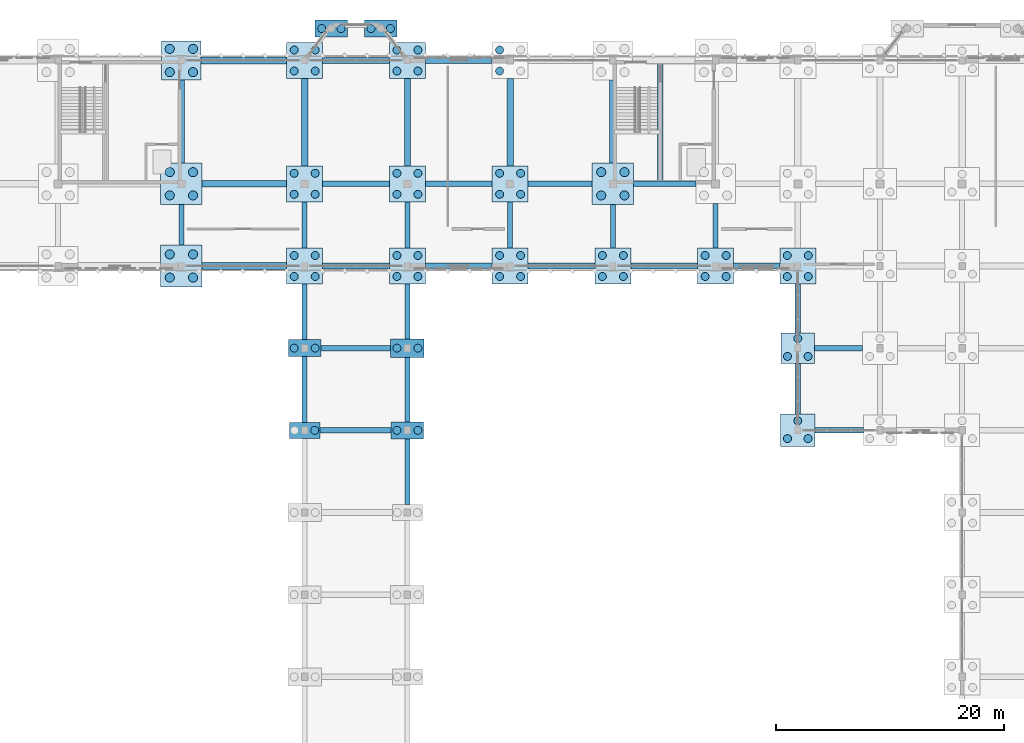
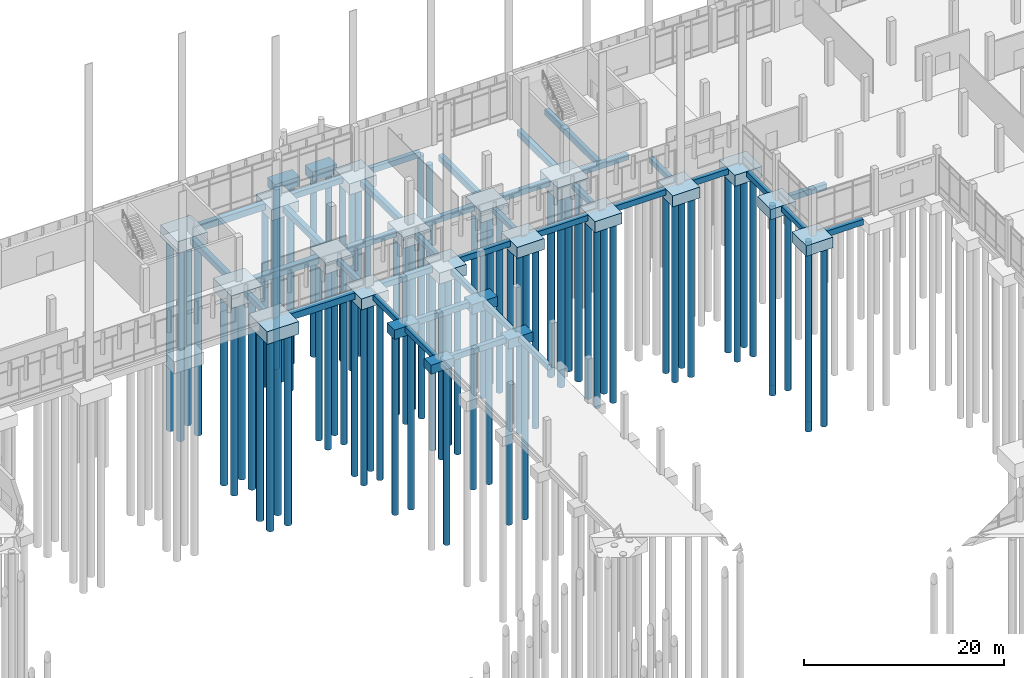
# One storey, part 6 of 109: 79 piles, 60 footings.
"""IFC4 building model written with IfcOpenShell, lengths in metres."""

from ifc_helpers import new_model, si_unit, direction, frame, origin, origin_2d, place, context, subcontext, project, spatial, rectangle, circle, extrude, material, material_profile, profile_set, type_object, element, save


model = new_model("IFC4")

# Units and contexts
model_context = context("Model", 3, precision=1e-05, world=origin(), true_north=direction((0.0, 1.0)))
body_context = subcontext(model_context, "Body", "Model", "MODEL_VIEW")
ifc_project = project(units=[si_unit("LENGTHUNIT", "METRE"), si_unit("AREAUNIT", "SQUARE_METRE"), si_unit("VOLUMEUNIT", "CUBIC_METRE"), si_unit("PLANEANGLEUNIT", "RADIAN"), si_unit("MASSUNIT", "GRAM", prefix="KILO")], contexts=[model_context])

# Site, building, storey
site_placement = place(None, origin())
site = spatial("IfcSite", under=ifc_project, at=site_placement, CompositionType="ELEMENT")
building_placement = place(site_placement, origin())
building = spatial("IfcBuilding", under=site, at=building_placement, Name="Lusvemor Sports Hall", CompositionType="ELEMENT")
storey_placement = place(building_placement, origin())
storey = spatial("IfcBuildingStorey", under=building, at=storey_placement, Name="L00", CompositionType="ELEMENT", Elevation=0.0)

# Footings
ifc_material_1 = material(Name="Concrete C40/50", Category="concrete")
ifc_material_profile_1 = material_profile(ifc_material_1, rectangle(XDim=0.449951171875, YDim=0.64990234375, at=origin_2d()), Name="GB_450x650")
ifc_profile_set_1 = profile_set([ifc_material_profile_1], Name="Concrete C40/50")
footing_type_1 = type_object("IfcFootingType", Name="GBEAM_450x650", PredefinedType="FOOTING_BEAM", material=ifc_profile_set_1)
footing_1_placement = place(storey_placement, frame((64.800048828125, 99.02294921875, -0.625), z_axis=(0.0, 1.0, 0.0), x_axis=(-1.0, 0.0, 0.0)))
element("IfcFooting", 1, at=footing_1_placement, inside=storey, type_object=footing_type_1, Name="Ground Tie Beam 7:N-P", PredefinedType="FOOTING_BEAM", context=body_context, shape_type="SweptSolid", body=[
    extrude(rectangle(XDim=0.449951171875, YDim=0.64990234375, at=origin_2d()), origin(), (0.0, 0.0, 1.0), 3.553955078125),
])
footing_2_placement = place(storey_placement, frame((75.60009765625, 83.498046875, -0.625), z_axis=(0.0, 1.0, 0.0), x_axis=(-1.0, 0.0, 0.0)))
element("IfcFooting", 2, at=footing_2_placement, inside=storey, type_object=footing_type_1, Name="Ground Tie Beam 8:L-M", PredefinedType="FOOTING_BEAM", context=body_context, shape_type="SweptSolid", body=[
    extrude(rectangle(XDim=0.449951171875, YDim=0.64990234375, at=origin_2d()), origin(), (0.0, 0.0, 1.0), 5.75390625),
])
footing_3_placement = place(storey_placement, frame((75.60009765625, 90.748046875, -0.625), z_axis=(0.0, 1.0, 0.0), x_axis=(-1.0, 0.0, 0.0)))
element("IfcFooting", 3, at=footing_3_placement, inside=storey, type_object=footing_type_1, Name="Ground Tie Beam 8:M-N", PredefinedType="FOOTING_BEAM", context=body_context, shape_type="SweptSolid", body=[
    extrude(rectangle(XDim=0.449951171875, YDim=0.64990234375, at=origin_2d()), origin(), (0.0, 0.0, 1.0), 4.87890625),
])
footing_4_placement = place(storey_placement, frame((75.60009765625, 98.77294921875, -0.625), z_axis=(0.0, 1.0, 0.0), x_axis=(-1.0, 0.0, 0.0)))
element("IfcFooting", 4, at=footing_4_placement, inside=storey, type_object=footing_type_1, Name="Ground Tie Beam 8:N-P", PredefinedType="FOOTING_BEAM", context=body_context, shape_type="SweptSolid", body=[
    extrude(rectangle(XDim=0.449951171875, YDim=0.64990234375, at=origin_2d()), origin(), (0.0, 0.0, 1.0), 4.053955078125),
])
footing_5_placement = place(storey_placement, frame((84.60009765625, 76.298095703125, -0.625), z_axis=(0.0, 1.0, 0.0), x_axis=(-1.0, 0.0, 0.0)))
element("IfcFooting", 5, at=footing_5_placement, inside=storey, type_object=footing_type_1, Name="Ground Tie Beam 9:K-L", PredefinedType="FOOTING_BEAM", context=body_context, shape_type="SweptSolid", body=[
    extrude(rectangle(XDim=0.449951171875, YDim=0.64990234375, at=origin_2d()), origin(), (0.0, 0.0, 1.0), 5.75390625),
])
footing_6_placement = place(storey_placement, frame((84.60009765625, 83.548095703125, -0.625), z_axis=(0.0, 1.0, 0.0), x_axis=(-1.0, 0.0, 0.0)))
element("IfcFooting", 6, at=footing_6_placement, inside=storey, type_object=footing_type_1, Name="Ground Tie Beam 9:L-M", PredefinedType="FOOTING_BEAM", context=body_context, shape_type="SweptSolid", body=[
    extrude(rectangle(XDim=0.449951171875, YDim=0.64990234375, at=origin_2d()), origin(), (0.0, 0.0, 1.0), 5.65380859375),
])
footing_7_placement = place(storey_placement, frame((84.60009765625, 90.798095703125, -0.625), z_axis=(0.0, 1.0, 0.0), x_axis=(-1.0, 0.0, 0.0)))
element("IfcFooting", 7, at=footing_7_placement, inside=storey, type_object=footing_type_1, Name="Ground Tie Beam 9:M-N", PredefinedType="FOOTING_BEAM", context=body_context, shape_type="SweptSolid", body=[
    extrude(rectangle(XDim=0.449951171875, YDim=0.64990234375, at=origin_2d()), origin(), (0.0, 0.0, 1.0), 4.828857421875),
])
for number, where, z_axis, x_axis, name in (
    (8, (84.60009765625, 98.77294921875, -0.625), (0.0, 1.0, 0.0), (-1.0, 0.0, 0.0), "Ground Tie Beam 9:N-P"),
    (9, (93.60009765625, 98.77294921875, -0.625), (0.0, 1.0, 0.0), (-1.0, 0.0, 0.0), "Ground Tie Beam 10:N-P"),
):
    element("IfcFooting", number, at=place(storey_placement, frame(where, z_axis=z_axis, x_axis=x_axis)), inside=storey, type_object=footing_type_1, Name=name, PredefinedType="FOOTING_BEAM", context=body_context, shape_type="SweptSolid", body=[
        extrude(rectangle(XDim=0.449951171875, YDim=0.64990234375, at=origin_2d()), origin(), (0.0, 0.0, 1.0), 4.053955078125),
    ])
footing_8_placement = place(storey_placement, frame((102.60009765625, 98.77294921875, -0.625), z_axis=(0.0, 1.0, 0.0), x_axis=(-1.0, 0.0, 0.0)))
element("IfcFooting", 10, at=footing_8_placement, inside=storey, type_object=footing_type_1, Name="Ground Tie Beam 11:N-P", PredefinedType="FOOTING_BEAM", context=body_context, shape_type="SweptSolid", body=[
    extrude(rectangle(XDim=0.449951171875, YDim=0.64990234375, at=origin_2d()), origin(), (0.0, 0.0, 1.0), 3.803955078125),
])
footing_9_placement = place(storey_placement, frame((111.60009765625, 98.77294921875, -0.625), z_axis=(0.0, 1.0, 0.0), x_axis=(-1.0, 0.0, 0.0)))
element("IfcFooting", 11, at=footing_9_placement, inside=storey, type_object=footing_type_1, Name="Ground Tie Beam 12:N-P", PredefinedType="FOOTING_BEAM", context=body_context, shape_type="SweptSolid", body=[
    extrude(rectangle(XDim=0.449951171875, YDim=0.64990234375, at=origin_2d()), origin(), (0.0, 0.0, 1.0), 3.904052734375),
])
footing_10_placement = place(storey_placement, frame((118.800048828125, 84.222900390625, -0.625), z_axis=(0.0, 1.0, 0.0), x_axis=(-1.0, 0.0, 0.0)))
element("IfcFooting", 12, at=footing_10_placement, inside=storey, type_object=footing_type_1, Name="Ground Tie Beam 13:L-M", PredefinedType="FOOTING_BEAM", context=body_context, shape_type="SweptSolid", body=[
    extrude(rectangle(XDim=0.449951171875, YDim=0.64990234375, at=origin_2d()), origin(), (0.0, 0.0, 1.0), 4.42919921875),
])
footing_11_placement = place(storey_placement, frame((118.800048828125, 91.347900390625, -0.625), z_axis=(0.0, 1.0, 0.0), x_axis=(-1.0, 0.0, 0.0)))
element("IfcFooting", 13, at=footing_11_placement, inside=storey, type_object=footing_type_1, Name="Ground Tie Beam 13:M-N", PredefinedType="FOOTING_BEAM", context=body_context, shape_type="SweptSolid", body=[
    extrude(rectangle(XDim=0.449951171875, YDim=0.64990234375, at=origin_2d()), origin(), (0.0, 0.0, 1.0), 4.279052734375),
])
ifc_material_2 = material(Name="Concrete C40/50", Category="concrete")
ifc_material_profile_2 = material_profile(ifc_material_2, rectangle(XDim=0.5, YDim=0.699951171875, at=origin_2d()), Name="GB_500x700")
ifc_profile_set_2 = profile_set([ifc_material_profile_2], Name="Concrete C40/50")
footing_type_2 = type_object("IfcFootingType", Name="GBEAM_500x700", PredefinedType="FOOTING_BEAM", material=ifc_profile_set_2)
footing_12_placement = place(storey_placement, frame((76.923095703125, 82.800048828125, -0.64990234375), z_axis=(1.0, 0.0, 0.0), x_axis=(0.0, 1.0, 0.0)))
element("IfcFooting", 14, at=footing_12_placement, inside=storey, type_object=footing_type_2, Name="Ground Tie Beam L:8-9", PredefinedType="FOOTING_BEAM", context=body_context, shape_type="SweptSolid", body=[
    extrude(rectangle(XDim=0.5, YDim=0.699951171875, at=origin_2d()), origin(), (0.0, 0.0, 1.0), 6.25390625),
])
footing_13_placement = place(storey_placement, frame((120.322998046875, 82.800048828125, -0.64990234375), z_axis=(1.0, 0.0, 0.0), x_axis=(0.0, 1.0, 0.0)))
element("IfcFooting", 15, at=footing_13_placement, inside=storey, type_object=footing_type_2, Name="Ground Tie Beam L:13-14", PredefinedType="FOOTING_BEAM", context=body_context, shape_type="SweptSolid", body=[
    extrude(rectangle(XDim=0.5, YDim=0.699951171875, at=origin_2d()), origin(), (0.0, 0.0, 1.0), 4.22900390625),
])
footing_14_placement = place(storey_placement, frame((77.02294921875, 90.0, -0.64990234375), z_axis=(1.0, 0.0, 0.0), x_axis=(0.0, 1.0, 0.0)))
element("IfcFooting", 16, at=footing_14_placement, inside=storey, type_object=footing_type_2, Name="Ground Tie Beam M:8-9", PredefinedType="FOOTING_BEAM", context=body_context, shape_type="SweptSolid", body=[
    extrude(rectangle(XDim=0.5, YDim=0.699951171875, at=origin_2d()), origin(), (0.0, 0.0, 1.0), 6.10400390625),
])
footing_15_placement = place(storey_placement, frame((120.248046875, 90.0, -0.64990234375), z_axis=(1.0, 0.0, 0.0), x_axis=(0.0, 1.0, 0.0)))
element("IfcFooting", 17, at=footing_15_placement, inside=storey, type_object=footing_type_2, Name="Ground Tie Beam M:13-14", PredefinedType="FOOTING_BEAM", context=body_context, shape_type="SweptSolid", body=[
    extrude(rectangle(XDim=0.5, YDim=0.699951171875, at=origin_2d()), origin(), (0.0, 0.0, 1.0), 4.22900390625),
])
for number, where, z_axis, x_axis, name in (
    (18, (77.173095703125, 97.199951171875, -0.64990234375), (1.0, 0.0, 0.0), (0.0, 1.0, 0.0), "Ground Tie Beam N:8-9"),
    (19, (86.173095703125, 97.199951171875, -0.64990234375), (1.0, 0.0, 0.0), (0.0, 1.0, 0.0), "Ground Tie Beam N:9-10"),
    (20, (95.173095703125, 97.199951171875, -0.64990234375), (1.0, 0.0, 0.0), (0.0, 1.0, 0.0), "Ground Tie Beam N:10-11"),
    (21, (104.173095703125, 97.199951171875, -0.64990234375), (1.0, 0.0, 0.0), (0.0, 1.0, 0.0), "Ground Tie Beam N:11-12"),
):
    element("IfcFooting", number, at=place(storey_placement, frame(where, z_axis=z_axis, x_axis=x_axis)), inside=storey, type_object=footing_type_2, Name=name, PredefinedType="FOOTING_BEAM", context=body_context, shape_type="SweptSolid", body=[
        extrude(rectangle(XDim=0.5, YDim=0.699951171875, at=origin_2d()), origin(), (0.0, 0.0, 1.0), 5.85400390625),
    ])
footing_16_placement = place(storey_placement, frame((113.173095703125, 97.199951171875, -0.64990234375), z_axis=(1.0, 0.0, 0.0), x_axis=(0.0, 1.0, 0.0)))
element("IfcFooting", 22, at=footing_16_placement, inside=storey, type_object=footing_type_2, Name="Ground Tie Beam N:12-13", PredefinedType="FOOTING_BEAM", context=body_context, shape_type="SweptSolid", body=[
    extrude(rectangle(XDim=0.5, YDim=0.699951171875, at=origin_2d()), origin(), (0.0, 0.0, 1.0), 4.053955078125),
])
for number, where, z_axis, x_axis, name in (
    (23, (77.173095703125, 104.39990234375, -0.64990234375), (1.0, 0.0, 0.0), (0.0, 1.0, 0.0), "Ground Tie Beam P:8-9"),
    (24, (86.173095703125, 104.39990234375, -0.64990234375), (1.0, 0.0, 0.0), (0.0, 1.0, 0.0), "Ground Tie Beam P:9-10"),
):
    element("IfcFooting", number, at=place(storey_placement, frame(where, z_axis=z_axis, x_axis=x_axis)), inside=storey, type_object=footing_type_2, Name=name, PredefinedType="FOOTING_BEAM", context=body_context, shape_type="SweptSolid", body=[
        extrude(rectangle(XDim=0.5, YDim=0.699951171875, at=origin_2d()), origin(), (0.0, 0.0, 1.0), 5.85400390625),
    ])
footing_17_placement = place(storey_placement, frame((95.173095703125, 104.39990234375, -0.64990234375), z_axis=(1.0, 0.0, 0.0), x_axis=(0.0, 1.0, 0.0)))
element("IfcFooting", 25, at=footing_17_placement, inside=storey, type_object=footing_type_2, Name="Ground Tie Beam P:10-11", PredefinedType="FOOTING_BEAM", context=body_context, shape_type="SweptSolid", body=[
    extrude(rectangle(XDim=0.5, YDim=0.699951171875, at=origin_2d()), origin(), (0.0, 0.0, 1.0), 5.60400390625),
])
footing_18_placement = place(storey_placement, frame((104.423095703125, 104.39990234375, -0.64990234375), z_axis=(1.0, 0.0, 0.0), x_axis=(0.0, 1.0, 0.0)))
element("IfcFooting", 26, at=footing_18_placement, inside=storey, type_object=footing_type_2, Name="Ground Tie Beam P:11-12", PredefinedType="FOOTING_BEAM", context=body_context, shape_type="SweptSolid", body=[
    extrude(rectangle(XDim=0.5, YDim=0.699951171875, at=origin_2d()), origin(), (0.0, 0.0, 1.0), 5.453857421875),
])
for number, where, z_axis, x_axis, name in (
    (27, (77.173095703125, 115.199951171875, -0.64990234375), (1.0, 0.0, 0.0), (0.0, 1.0, 0.0), "Ground Tie Beam Q:8-9"),
    (28, (86.173095703125, 115.199951171875, -0.64990234375), (1.0, 0.0, 0.0), (0.0, 1.0, 0.0), "Ground Tie Beam Q:9-10"),
):
    element("IfcFooting", number, at=place(storey_placement, frame(where, z_axis=z_axis, x_axis=x_axis)), inside=storey, type_object=footing_type_2, Name=name, PredefinedType="FOOTING_BEAM", context=body_context, shape_type="SweptSolid", body=[
        extrude(rectangle(XDim=0.5, YDim=0.699951171875, at=origin_2d()), origin(), (0.0, 0.0, 1.0), 5.85400390625),
    ])
footing_19_placement = place(storey_placement, frame((106.75, 104.39990234375, -0.64990234375), z_axis=(0.0, 1.0, 0.0), x_axis=(-1.0, 0.0, 0.0)))
element("IfcFooting", 29, at=footing_19_placement, inside=storey, type_object=footing_type_2, Name="Core C4 North-Central Divider Ground Beam", PredefinedType="FOOTING_BEAM", context=body_context, shape_type="SweptSolid", body=[
    extrude(rectangle(XDim=0.5, YDim=0.699951171875, at=origin_2d()), origin(), (0.0, 0.0, 1.0), 10.800048828125),
])
ifc_material_3 = material(Name="Concrete C40/50", Category="concrete")
ifc_material_profile_3 = material_profile(ifc_material_3, rectangle(XDim=0.550048828125, YDim=0.75, at=origin_2d()), Name="GB_550x750")
ifc_profile_set_3 = profile_set([ifc_material_profile_3], Name="Concrete C40/50")
footing_type_3 = type_object("IfcFootingType", Name="GBEAM_550x750", PredefinedType="FOOTING_BEAM", material=ifc_profile_set_3)
footing_20_placement = place(storey_placement, frame((64.800048828125, 106.222900390625, -0.675048828125), z_axis=(0.0, 1.0, 0.0), x_axis=(-1.0, 0.0, 0.0)))
element("IfcFooting", 30, at=footing_20_placement, inside=storey, type_object=footing_type_3, Name="Ground Tie Beam 7:P-Q", PredefinedType="FOOTING_BEAM", context=body_context, shape_type="SweptSolid", body=[
    extrude(rectangle(XDim=0.550048828125, YDim=0.75, at=origin_2d()), origin(), (0.0, 0.0, 1.0), 7.254150390625),
])
for number, where, z_axis, x_axis, name in (
    (31, (75.60009765625, 105.972900390625, -0.675048828125), (0.0, 1.0, 0.0), (-1.0, 0.0, 0.0), "Ground Tie Beam 8:P-Q"),
    (32, (84.60009765625, 105.972900390625, -0.675048828125), (0.0, 1.0, 0.0), (-1.0, 0.0, 0.0), "Ground Tie Beam 9:P-Q"),
    (33, (93.60009765625, 105.972900390625, -0.675048828125), (0.0, 1.0, 0.0), (-1.0, 0.0, 0.0), "Ground Tie Beam 10:P-Q"),
):
    element("IfcFooting", number, at=place(storey_placement, frame(where, z_axis=z_axis, x_axis=x_axis)), inside=storey, type_object=footing_type_3, Name=name, PredefinedType="FOOTING_BEAM", context=body_context, shape_type="SweptSolid", body=[
        extrude(rectangle(XDim=0.550048828125, YDim=0.75, at=origin_2d()), origin(), (0.0, 0.0, 1.0), 7.654052734375),
    ])
footing_21_placement = place(storey_placement, frame((102.60009765625, 106.222900390625, -0.675048828125), z_axis=(0.0, 1.0, 0.0), x_axis=(-1.0, 0.0, 0.0)))
element("IfcFooting", 34, at=footing_21_placement, inside=storey, type_object=footing_type_3, Name="Ground Tie Beam 11:P-Q", PredefinedType="FOOTING_BEAM", context=body_context, shape_type="SweptSolid", body=[
    extrude(rectangle(XDim=0.550048828125, YDim=0.75, at=origin_2d()), origin(), (0.0, 0.0, 1.0), 7.254150390625),
])
ifc_material_4 = material(Name="Concrete C40/50", Category="concrete")
ifc_material_profile_4 = material_profile(ifc_material_4, rectangle(XDim=0.60009765625, YDim=0.800048828125, at=origin_2d()), Name="GB_600x800")
ifc_profile_set_4 = profile_set([ifc_material_profile_4], Name="Concrete C40/50")
footing_type_4 = type_object("IfcFootingType", Name="GBEAM_600x800", PredefinedType="FOOTING_BEAM", material=ifc_profile_set_4)
for number, where, z_axis, x_axis, name in (
    (35, (66.623046875, 97.199951171875, -0.699951171875), (1.0, 0.0, 0.0), (0.0, 1.0, 0.0), "Ground Tie Beam N:7-8"),
    (36, (66.623046875, 104.39990234375, -0.699951171875), (1.0, 0.0, 0.0), (0.0, 1.0, 0.0), "Ground Tie Beam P:7-8"),
):
    element("IfcFooting", number, at=place(storey_placement, frame(where, z_axis=z_axis, x_axis=x_axis)), inside=storey, type_object=footing_type_4, Name=name, PredefinedType="FOOTING_BEAM", context=body_context, shape_type="SweptSolid", body=[
        extrude(rectangle(XDim=0.60009765625, YDim=0.800048828125, at=origin_2d()), origin(), (0.0, 0.0, 1.0), 7.404052734375),
    ])
footing_22_placement = place(storey_placement, frame((66.52294921875, 115.199951171875, -0.699951171875), z_axis=(1.0, 0.0, 0.0), x_axis=(0.0, 1.0, 0.0)))
element("IfcFooting", 37, at=footing_22_placement, inside=storey, type_object=footing_type_4, Name="Ground Tie Beam Q:7-8", PredefinedType="FOOTING_BEAM", context=body_context, shape_type="SweptSolid", body=[
    extrude(rectangle(XDim=0.60009765625, YDim=0.800048828125, at=origin_2d()), origin(), (0.0, 0.0, 1.0), 7.504150390625),
])
ifc_material_5 = material(Name="Concrete C40/50", Category="concrete")
footing_type_5 = type_object("IfcFootingType", Name="PCAP_2P_A", PredefinedType="PILE_CAP", material=ifc_material_5)
footing_23_placement = place(storey_placement, frame((75.60009765625, 82.800048828125, -1.400146484375), z_axis=(0.0, 0.0, 1.0), x_axis=(1.0, 0.0, 0.0)))
element("IfcFooting", 38, at=footing_23_placement, inside=storey, type_object=footing_type_5, Name="Pile Cap 8/L", PredefinedType="PILE_CAP", context=body_context, shape_type="SweptSolid", body=[
    extrude(rectangle(XDim=2.64990234375, YDim=1.39990234375, at=origin_2d()), origin(), (0.0, 0.0, 1.0), 1.10009765625),
])
ifc_material_6 = material(Name="Concrete C40/50", Category="concrete")
footing_type_6 = type_object("IfcFootingType", Name="PCAP_2P_B", PredefinedType="PILE_CAP", material=ifc_material_6)
for number, where, z_axis, x_axis, name in (
    (39, (75.60009765625, 90.0, -1.449951171875), (0.0, 0.0, 1.0), (1.0, 0.0, 0.0), "Pile Cap 8/M"),
    (40, (84.60009765625, 82.800048828125, -1.449951171875), (0.0, 0.0, 1.0), (1.0, 0.0, 0.0), "Pile Cap 9/L"),
    (41, (77.93994140625, 118.0, -1.449951171875), (0.0, 0.0, 1.0), (1.0, 0.0, 0.0), "Bow Pavilion Cap BOW-N2-1"),
    (42, (82.260009765625, 118.0, -1.449951171875), (0.0, 0.0, 1.0), (1.0, 0.0, 0.0), "Bow Pavilion Cap BOW-N2-2"),
):
    element("IfcFooting", number, at=place(storey_placement, frame(where, z_axis=z_axis, x_axis=x_axis)), inside=storey, type_object=footing_type_6, Name=name, PredefinedType="PILE_CAP", context=body_context, shape_type="SweptSolid", body=[
        extrude(rectangle(XDim=2.85009765625, YDim=1.5, at=origin_2d()), origin(), (0.0, 0.0, 1.0), 1.14990234375),
    ])
ifc_material_7 = material(Name="Concrete C40/50", Category="concrete")
footing_type_7 = type_object("IfcFootingType", Name="PCAP_2P_C", PredefinedType="PILE_CAP", material=ifc_material_7)
footing_24_placement = place(storey_placement, frame((84.60009765625, 90.0, -1.5), z_axis=(0.0, 0.0, 1.0), x_axis=(1.0, 0.0, 0.0)))
element("IfcFooting", 43, at=footing_24_placement, inside=storey, type_object=footing_type_7, Name="Pile Cap 9/M", PredefinedType="PILE_CAP", context=body_context, shape_type="SweptSolid", body=[
    extrude(rectangle(XDim=2.949951171875, YDim=1.60009765625, at=origin_2d()), origin(), (0.0, 0.0, 1.0), 1.199951171875),
])
ifc_material_8 = material(Name="Concrete C40/50", Category="concrete")
footing_type_8 = type_object("IfcFootingType", Name="PCAP_3P_A", PredefinedType="PILE_CAP", material=ifc_material_8)
footing_25_placement = place(storey_placement, frame((118.800048828125, 90.0, -1.550048828125), z_axis=(0.0, 0.0, 1.0), x_axis=(1.0, 0.0, 0.0)))
element("IfcFooting", 44, at=footing_25_placement, inside=storey, type_object=footing_type_8, Name="Pile Cap 13/M", PredefinedType="PILE_CAP", context=body_context, shape_type="SweptSolid", body=[
    extrude(rectangle(XDim=2.89990234375, YDim=2.699951171875, at=origin_2d()), origin(), (0.0, 0.0, 1.0), 1.25),
])
ifc_material_9 = material(Name="Concrete C40/50", Category="concrete")
footing_type_9 = type_object("IfcFootingType", Name="PCAP_3P_B", PredefinedType="PILE_CAP", material=ifc_material_9)
footing_26_placement = place(storey_placement, frame((118.800048828125, 82.800048828125, -1.60009765625), z_axis=(0.0, 0.0, 1.0), x_axis=(1.0, 0.0, 0.0)))
element("IfcFooting", 45, at=footing_26_placement, inside=storey, type_object=footing_type_9, Name="Pile Cap 13/L", PredefinedType="PILE_CAP", context=body_context, shape_type="SweptSolid", body=[
    extrude(rectangle(XDim=3.050048828125, YDim=2.85009765625, at=origin_2d()), origin(), (0.0, 0.0, 1.0), 1.300048828125),
])
ifc_material_10 = material(Name="Concrete C40/50", Category="concrete")
footing_type_10 = type_object("IfcFootingType", Name="PCAP_4P_A", PredefinedType="PILE_CAP", material=ifc_material_10)
for number, where, z_axis, x_axis, name in (
    (46, (75.60009765625, 97.199951171875, -1.650146484375), (0.0, 0.0, 1.0), (1.0, 0.0, 0.0), "Pile Cap 8/N"),
    (47, (75.60009765625, 104.39990234375, -1.650146484375), (0.0, 0.0, 1.0), (1.0, 0.0, 0.0), "Pile Cap 8/P"),
    (48, (75.60009765625, 115.199951171875, -1.650146484375), (0.0, 0.0, 1.0), (1.0, 0.0, 0.0), "Pile Cap 8/Q"),
    (49, (84.60009765625, 97.199951171875, -1.650146484375), (0.0, 0.0, 1.0), (1.0, 0.0, 0.0), "Pile Cap 9/N"),
    (50, (84.60009765625, 104.39990234375, -1.650146484375), (0.0, 0.0, 1.0), (1.0, 0.0, 0.0), "Pile Cap 9/P"),
    (51, (84.60009765625, 115.199951171875, -1.650146484375), (0.0, 0.0, 1.0), (1.0, 0.0, 0.0), "Pile Cap 9/Q"),
    (52, (93.60009765625, 97.199951171875, -1.650146484375), (0.0, 0.0, 1.0), (1.0, 0.0, 0.0), "Pile Cap 10/N"),
    (53, (93.60009765625, 104.39990234375, -1.650146484375), (0.0, 0.0, 1.0), (1.0, 0.0, 0.0), "Pile Cap 10/P"),
    (54, (102.60009765625, 97.199951171875, -1.650146484375), (0.0, 0.0, 1.0), (1.0, 0.0, 0.0), "Pile Cap 11/N"),
    (55, (111.60009765625, 97.199951171875, -1.650146484375), (0.0, 0.0, 1.0), (1.0, 0.0, 0.0), "Pile Cap 12/N"),
    (56, (118.800048828125, 97.199951171875, -1.650146484375), (0.0, 0.0, 1.0), (1.0, 0.0, 0.0), "Pile Cap 13/N"),
):
    element("IfcFooting", number, at=place(storey_placement, frame(where, z_axis=z_axis, x_axis=x_axis)), inside=storey, type_object=footing_type_10, Name=name, PredefinedType="PILE_CAP", context=body_context, shape_type="SweptSolid", body=[
        extrude(rectangle(XDim=3.14990234375, YDim=3.14990234375, at=origin_2d()), origin(), (0.0, 0.0, 1.0), 1.35009765625),
    ])
ifc_material_11 = material(Name="Concrete C40/50", Category="concrete")
footing_type_11 = type_object("IfcFootingType", Name="PCAP_4P_B", PredefinedType="PILE_CAP", material=ifc_material_11)
footing_27_placement = place(storey_placement, frame((64.800048828125, 115.199951171875, -1.75), z_axis=(0.0, 0.0, 1.0), x_axis=(1.0, 0.0, 0.0)))
element("IfcFooting", 57, at=footing_27_placement, inside=storey, type_object=footing_type_11, Name="Pile Cap 7/Q", PredefinedType="PILE_CAP", context=body_context, shape_type="SweptSolid", body=[
    extrude(rectangle(XDim=3.449951171875, YDim=3.449951171875, at=origin_2d()), origin(), (0.0, 0.0, 1.0), 1.449951171875),
])
ifc_material_12 = material(Name="Concrete C40/50", Category="concrete")
footing_type_12 = type_object("IfcFootingType", Name="PCAP_4P_C", PredefinedType="PILE_CAP", material=ifc_material_12)
for number, where, z_axis, x_axis, name in (
    (58, (64.800048828125, 97.199951171875, -1.85009765625), (0.0, 0.0, 1.0), (1.0, 0.0, 0.0), "Pile Cap 7/N"),
    (59, (64.800048828125, 104.39990234375, -1.85009765625), (0.0, 0.0, 1.0), (1.0, 0.0, 0.0), "Pile Cap 7/P"),
    (60, (102.60009765625, 104.39990234375, -1.85009765625), (0.0, 0.0, 1.0), (1.0, 0.0, 0.0), "Pile Cap 11/P"),
):
    element("IfcFooting", number, at=place(storey_placement, frame(where, z_axis=z_axis, x_axis=x_axis)), inside=storey, type_object=footing_type_12, Name=name, PredefinedType="PILE_CAP", context=body_context, shape_type="SweptSolid", body=[
        extrude(rectangle(XDim=3.64990234375, YDim=3.64990234375, at=origin_2d()), origin(), (0.0, 0.0, 1.0), 1.550048828125),
    ])

# Piles
ifc_material_13 = material(Name="Concrete C40/50", Category="concrete")
ifc_material_profile_5 = material_profile(ifc_material_13, circle(Radius=0.35009765625, at=origin_2d()), Name="PILE700")
ifc_profile_set_5 = profile_set([ifc_material_profile_5], Name="Concrete C40/50")
pile_type_1 = type_object("IfcPileType", Name="PILE_BORED_700", PredefinedType="BORED", material=ifc_profile_set_5)
for number, where, z_axis, x_axis, name in (
    (61, (76.47998046875, 82.800048828125, -1.300048828125), (0.0, 0.0, -1.0), (1.0, 0.0, 0.0), "Bored Pile 8/L-2"),
    (62, (74.679931640625, 90.0, -1.35009765625), (0.0, 0.0, -1.0), (1.0, 0.0, 0.0), "Bored Pile 8/M-1"),
    (63, (76.52001953125, 90.0, -1.35009765625), (0.0, 0.0, -1.0), (1.0, 0.0, 0.0), "Bored Pile 8/M-2"),
    (64, (74.679931640625, 96.280029296875, -1.550048828125), (0.0, 0.0, -1.0), (1.0, 0.0, 0.0), "Bored Pile 8/N-1"),
    (65, (76.52001953125, 96.280029296875, -1.550048828125), (0.0, 0.0, -1.0), (1.0, 0.0, 0.0), "Bored Pile 8/N-2"),
    (66, (74.679931640625, 98.1201171875, -1.550048828125), (0.0, 0.0, -1.0), (1.0, 0.0, 0.0), "Bored Pile 8/N-3"),
    (67, (76.52001953125, 98.1201171875, -1.550048828125), (0.0, 0.0, -1.0), (1.0, 0.0, 0.0), "Bored Pile 8/N-4"),
    (68, (74.679931640625, 103.47998046875, -1.550048828125), (0.0, 0.0, -1.0), (1.0, 0.0, 0.0), "Bored Pile 8/P-1"),
    (69, (76.52001953125, 103.47998046875, -1.550048828125), (0.0, 0.0, -1.0), (1.0, 0.0, 0.0), "Bored Pile 8/P-2"),
    (70, (74.679931640625, 105.320068359375, -1.550048828125), (0.0, 0.0, -1.0), (1.0, 0.0, 0.0), "Bored Pile 8/P-3"),
    (71, (76.52001953125, 105.320068359375, -1.550048828125), (0.0, 0.0, -1.0), (1.0, 0.0, 0.0), "Bored Pile 8/P-4"),
    (72, (74.679931640625, 114.280029296875, -1.550048828125), (0.0, 0.0, -1.0), (1.0, 0.0, 0.0), "Bored Pile 8/Q-1"),
    (73, (76.52001953125, 114.280029296875, -1.550048828125), (0.0, 0.0, -1.0), (1.0, 0.0, 0.0), "Bored Pile 8/Q-2"),
    (74, (74.679931640625, 116.1201171875, -1.550048828125), (0.0, 0.0, -1.0), (1.0, 0.0, 0.0), "Bored Pile 8/Q-3"),
    (75, (76.52001953125, 116.1201171875, -1.550048828125), (0.0, 0.0, -1.0), (1.0, 0.0, 0.0), "Bored Pile 8/Q-4"),
    (76, (83.679931640625, 82.800048828125, -1.35009765625), (0.0, 0.0, -1.0), (1.0, 0.0, 0.0), "Bored Pile 9/L-1"),
    (77, (85.52001953125, 82.800048828125, -1.35009765625), (0.0, 0.0, -1.0), (1.0, 0.0, 0.0), "Bored Pile 9/L-2"),
    (78, (83.679931640625, 90.0, -1.39990234375), (0.0, 0.0, -1.0), (1.0, 0.0, 0.0), "Bored Pile 9/M-1"),
    (79, (85.52001953125, 90.0, -1.39990234375), (0.0, 0.0, -1.0), (1.0, 0.0, 0.0), "Bored Pile 9/M-2"),
    (80, (83.679931640625, 96.280029296875, -1.550048828125), (0.0, 0.0, -1.0), (1.0, 0.0, 0.0), "Bored Pile 9/N-1"),
    (81, (85.52001953125, 96.280029296875, -1.550048828125), (0.0, 0.0, -1.0), (1.0, 0.0, 0.0), "Bored Pile 9/N-2"),
    (82, (83.679931640625, 98.1201171875, -1.550048828125), (0.0, 0.0, -1.0), (1.0, 0.0, 0.0), "Bored Pile 9/N-3"),
    (83, (85.52001953125, 98.1201171875, -1.550048828125), (0.0, 0.0, -1.0), (1.0, 0.0, 0.0), "Bored Pile 9/N-4"),
    (84, (83.679931640625, 103.47998046875, -1.550048828125), (0.0, 0.0, -1.0), (1.0, 0.0, 0.0), "Bored Pile 9/P-1"),
    (85, (85.52001953125, 103.47998046875, -1.550048828125), (0.0, 0.0, -1.0), (1.0, 0.0, 0.0), "Bored Pile 9/P-2"),
    (86, (83.679931640625, 105.320068359375, -1.550048828125), (0.0, 0.0, -1.0), (1.0, 0.0, 0.0), "Bored Pile 9/P-3"),
    (87, (85.52001953125, 105.320068359375, -1.550048828125), (0.0, 0.0, -1.0), (1.0, 0.0, 0.0), "Bored Pile 9/P-4"),
    (88, (83.679931640625, 114.280029296875, -1.550048828125), (0.0, 0.0, -1.0), (1.0, 0.0, 0.0), "Bored Pile 9/Q-1"),
    (89, (85.52001953125, 114.280029296875, -1.550048828125), (0.0, 0.0, -1.0), (1.0, 0.0, 0.0), "Bored Pile 9/Q-2"),
    (90, (83.679931640625, 116.1201171875, -1.550048828125), (0.0, 0.0, -1.0), (1.0, 0.0, 0.0), "Bored Pile 9/Q-3"),
    (91, (85.52001953125, 116.1201171875, -1.550048828125), (0.0, 0.0, -1.0), (1.0, 0.0, 0.0), "Bored Pile 9/Q-4"),
    (92, (92.679931640625, 96.280029296875, -1.550048828125), (0.0, 0.0, -1.0), (1.0, 0.0, 0.0), "Bored Pile 10/N-1"),
    (93, (94.52001953125, 96.280029296875, -1.550048828125), (0.0, 0.0, -1.0), (1.0, 0.0, 0.0), "Bored Pile 10/N-2"),
    (94, (92.679931640625, 98.1201171875, -1.550048828125), (0.0, 0.0, -1.0), (1.0, 0.0, 0.0), "Bored Pile 10/N-3"),
    (95, (94.52001953125, 98.1201171875, -1.550048828125), (0.0, 0.0, -1.0), (1.0, 0.0, 0.0), "Bored Pile 10/N-4"),
    (96, (92.679931640625, 103.47998046875, -1.550048828125), (0.0, 0.0, -1.0), (1.0, 0.0, 0.0), "Bored Pile 10/P-1"),
    (97, (94.52001953125, 103.47998046875, -1.550048828125), (0.0, 0.0, -1.0), (1.0, 0.0, 0.0), "Bored Pile 10/P-2"),
    (98, (92.679931640625, 105.320068359375, -1.550048828125), (0.0, 0.0, -1.0), (1.0, 0.0, 0.0), "Bored Pile 10/P-3"),
    (99, (94.52001953125, 105.320068359375, -1.550048828125), (0.0, 0.0, -1.0), (1.0, 0.0, 0.0), "Bored Pile 10/P-4"),
    (100, (92.679931640625, 114.280029296875, -1.550048828125), (0.0, 0.0, -1.0), (1.0, 0.0, 0.0), "Bored Pile 10/Q-1"),
    (101, (92.679931640625, 116.1201171875, -1.550048828125), (0.0, 0.0, -1.0), (1.0, 0.0, 0.0), "Bored Pile 10/Q-3"),
    (102, (101.679931640625, 96.280029296875, -1.550048828125), (0.0, 0.0, -1.0), (1.0, 0.0, 0.0), "Bored Pile 11/N-1"),
    (103, (103.52001953125, 96.280029296875, -1.550048828125), (0.0, 0.0, -1.0), (1.0, 0.0, 0.0), "Bored Pile 11/N-2"),
    (104, (101.679931640625, 98.1201171875, -1.550048828125), (0.0, 0.0, -1.0), (1.0, 0.0, 0.0), "Bored Pile 11/N-3"),
    (105, (103.52001953125, 98.1201171875, -1.550048828125), (0.0, 0.0, -1.0), (1.0, 0.0, 0.0), "Bored Pile 11/N-4"),
    (106, (110.679931640625, 96.280029296875, -1.550048828125), (0.0, 0.0, -1.0), (1.0, 0.0, 0.0), "Bored Pile 12/N-1"),
    (107, (112.52001953125, 96.280029296875, -1.550048828125), (0.0, 0.0, -1.0), (1.0, 0.0, 0.0), "Bored Pile 12/N-2"),
    (108, (110.679931640625, 98.1201171875, -1.550048828125), (0.0, 0.0, -1.0), (1.0, 0.0, 0.0), "Bored Pile 12/N-3"),
    (109, (112.52001953125, 98.1201171875, -1.550048828125), (0.0, 0.0, -1.0), (1.0, 0.0, 0.0), "Bored Pile 12/N-4"),
    (110, (117.89990234375, 82.080078125, -1.5), (0.0, 0.0, -1.0), (1.0, 0.0, 0.0), "Bored Pile 13/L-1"),
    (111, (119.699951171875, 82.080078125, -1.5), (0.0, 0.0, -1.0), (1.0, 0.0, 0.0), "Bored Pile 13/L-2"),
    (112, (118.800048828125, 83.639892578125, -1.5), (0.0, 0.0, -1.0), (1.0, 0.0, 0.0), "Bored Pile 13/L-3"),
    (113, (117.89990234375, 89.280029296875, -1.449951171875), (0.0, 0.0, -1.0), (1.0, 0.0, 0.0), "Bored Pile 13/M-1"),
    (114, (119.699951171875, 89.280029296875, -1.449951171875), (0.0, 0.0, -1.0), (1.0, 0.0, 0.0), "Bored Pile 13/M-2"),
    (115, (118.800048828125, 90.840087890625, -1.449951171875), (0.0, 0.0, -1.0), (1.0, 0.0, 0.0), "Bored Pile 13/M-3"),
    (116, (117.8798828125, 96.280029296875, -1.550048828125), (0.0, 0.0, -1.0), (1.0, 0.0, 0.0), "Bored Pile 13/N-1"),
    (117, (119.719970703125, 96.280029296875, -1.550048828125), (0.0, 0.0, -1.0), (1.0, 0.0, 0.0), "Bored Pile 13/N-2"),
    (118, (117.8798828125, 98.1201171875, -1.550048828125), (0.0, 0.0, -1.0), (1.0, 0.0, 0.0), "Bored Pile 13/N-3"),
    (119, (119.719970703125, 98.1201171875, -1.550048828125), (0.0, 0.0, -1.0), (1.0, 0.0, 0.0), "Bored Pile 13/N-4"),
    (120, (77.090087890625, 118.0, -1.35009765625), (0.0, 0.0, -1.0), (1.0, 0.0, 0.0), "Bow Pavilion Pile BOW-N2-1-1"),
    (121, (78.7900390625, 118.0, -1.35009765625), (0.0, 0.0, -1.0), (1.0, 0.0, 0.0), "Bow Pavilion Pile BOW-N2-1-2"),
    (122, (81.409912109375, 118.0, -1.35009765625), (0.0, 0.0, -1.0), (1.0, 0.0, 0.0), "Bow Pavilion Pile BOW-N2-2-1"),
    (123, (83.110107421875, 118.0, -1.35009765625), (0.0, 0.0, -1.0), (1.0, 0.0, 0.0), "Bow Pavilion Pile BOW-N2-2-2"),
):
    element("IfcPile", number, at=place(storey_placement, frame(where, z_axis=z_axis, x_axis=x_axis)), inside=storey, type_object=pile_type_1, Name=name, PredefinedType="BORED", context=body_context, shape_type="SweptSolid", body=[
        extrude(circle(Radius=0.35009765625, at=origin_2d()), origin(), (0.0, 0.0, 1.0), 22.0),
    ])
ifc_material_14 = material(Name="Concrete C40/50", Category="concrete")
ifc_material_profile_6 = material_profile(ifc_material_14, circle(Radius=0.39990234375, at=origin_2d()), Name="PILE800")
ifc_profile_set_6 = profile_set([ifc_material_profile_6], Name="Concrete C40/50")
pile_type_2 = type_object("IfcPileType", Name="PILE_BORED_800", PredefinedType="BORED", material=ifc_profile_set_6)
for number, where, z_axis, x_axis, name in (
    (124, (63.780029296875, 96.179931640625, -1.75), (0.0, 0.0, -1.0), (1.0, 0.0, 0.0), "Bored Pile 7/N-1"),
    (125, (65.820068359375, 96.179931640625, -1.75), (0.0, 0.0, -1.0), (1.0, 0.0, 0.0), "Bored Pile 7/N-2"),
    (126, (63.780029296875, 98.219970703125, -1.75), (0.0, 0.0, -1.0), (1.0, 0.0, 0.0), "Bored Pile 7/N-3"),
    (127, (65.820068359375, 98.219970703125, -1.75), (0.0, 0.0, -1.0), (1.0, 0.0, 0.0), "Bored Pile 7/N-4"),
    (128, (63.780029296875, 103.3798828125, -1.75), (0.0, 0.0, -1.0), (1.0, 0.0, 0.0), "Bored Pile 7/P-1"),
    (129, (65.820068359375, 103.3798828125, -1.75), (0.0, 0.0, -1.0), (1.0, 0.0, 0.0), "Bored Pile 7/P-2"),
    (130, (63.780029296875, 105.419921875, -1.75), (0.0, 0.0, -1.0), (1.0, 0.0, 0.0), "Bored Pile 7/P-3"),
    (131, (65.820068359375, 105.419921875, -1.75), (0.0, 0.0, -1.0), (1.0, 0.0, 0.0), "Bored Pile 7/P-4"),
    (132, (63.780029296875, 114.179931640625, -1.64990234375), (0.0, 0.0, -1.0), (1.0, 0.0, 0.0), "Bored Pile 7/Q-1"),
    (133, (65.820068359375, 114.179931640625, -1.64990234375), (0.0, 0.0, -1.0), (1.0, 0.0, 0.0), "Bored Pile 7/Q-2"),
    (134, (63.780029296875, 116.219970703125, -1.64990234375), (0.0, 0.0, -1.0), (1.0, 0.0, 0.0), "Bored Pile 7/Q-3"),
    (135, (65.820068359375, 116.219970703125, -1.64990234375), (0.0, 0.0, -1.0), (1.0, 0.0, 0.0), "Bored Pile 7/Q-4"),
    (136, (101.580078125, 103.3798828125, -1.75), (0.0, 0.0, -1.0), (1.0, 0.0, 0.0), "Bored Pile 11/P-1"),
    (137, (103.6201171875, 103.3798828125, -1.75), (0.0, 0.0, -1.0), (1.0, 0.0, 0.0), "Bored Pile 11/P-2"),
    (138, (101.580078125, 105.419921875, -1.75), (0.0, 0.0, -1.0), (1.0, 0.0, 0.0), "Bored Pile 11/P-3"),
    (139, (103.6201171875, 105.419921875, -1.75), (0.0, 0.0, -1.0), (1.0, 0.0, 0.0), "Bored Pile 11/P-4"),
):
    element("IfcPile", number, at=place(storey_placement, frame(where, z_axis=z_axis, x_axis=x_axis)), inside=storey, type_object=pile_type_2, Name=name, PredefinedType="BORED", context=body_context, shape_type="SweptSolid", body=[
        extrude(circle(Radius=0.39990234375, at=origin_2d()), origin(), (0.0, 0.0, 1.0), 23.5),
    ])

save(model, "model.ifc")
